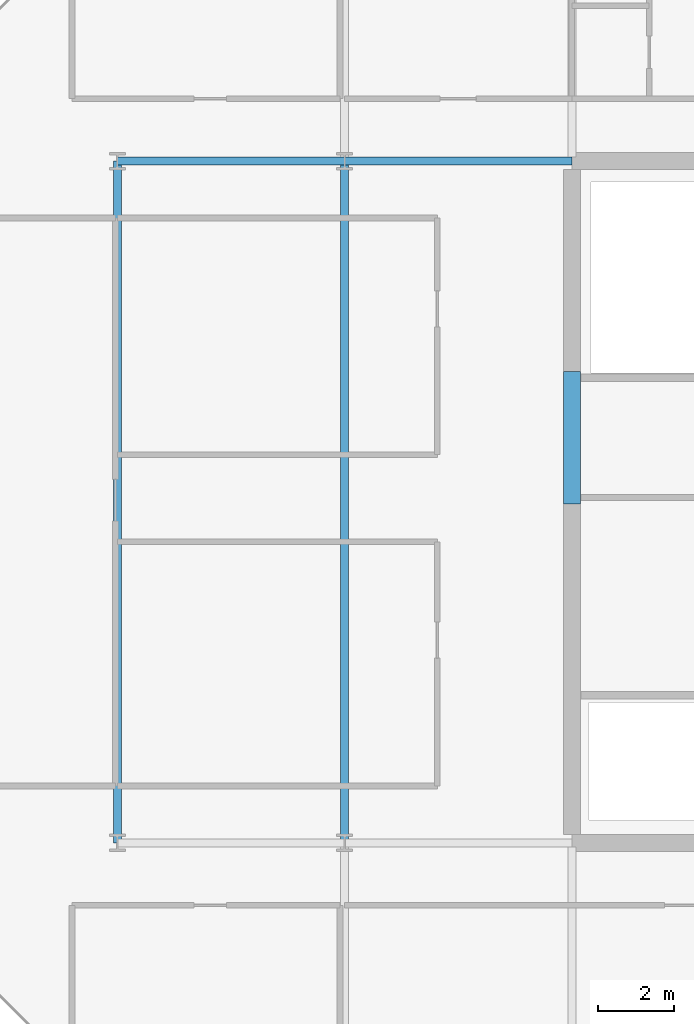
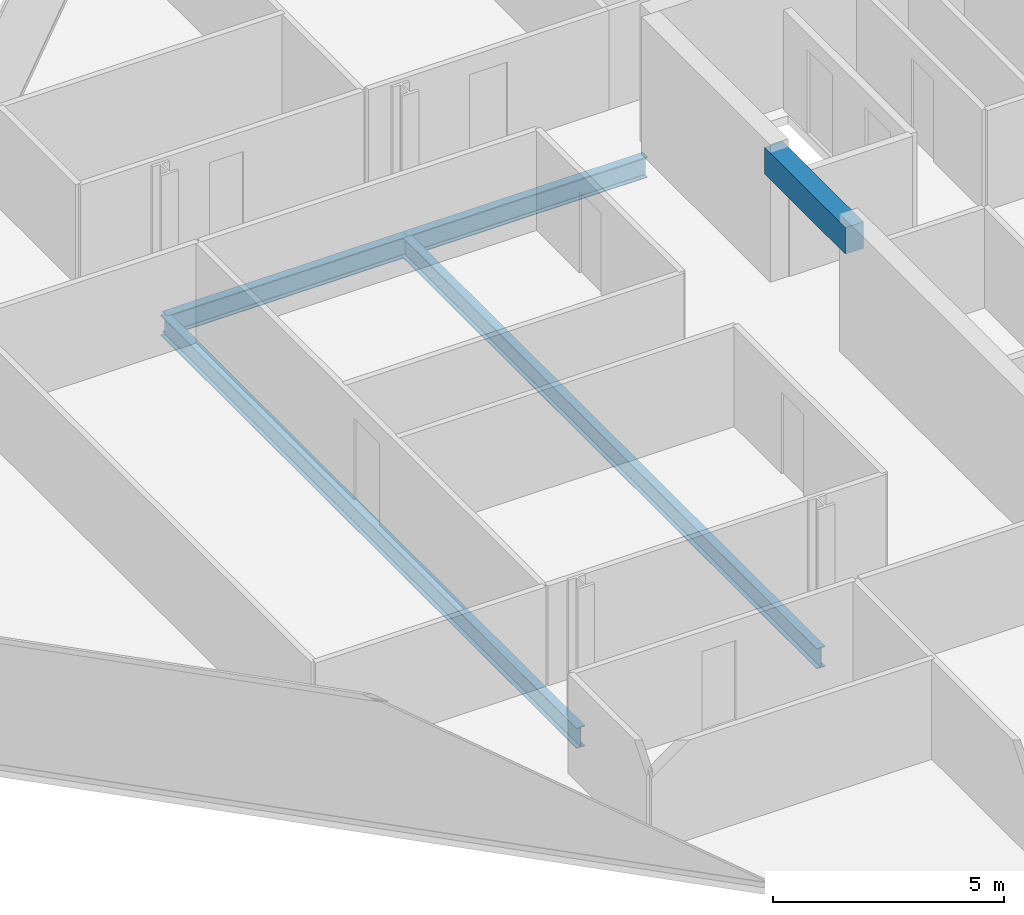
# One storey, part 5 of 17: 5 beams.
"""IFC4 building model written with IfcOpenShell, lengths in metres."""

from ifc_helpers import new_model, si_unit, direction, frame, origin, origin_2d, place, context, subcontext, project, spatial, rectangle, i_section, extrude, material, material_profile, profile_set, type_object, element, save


model = new_model("IFC4")

# Units and contexts
model_context = context("Model", 3, precision=1e-05, world=origin(), true_north=direction((0.0, 1.0)))
body_context = subcontext(model_context, "Body", "Model", "MODEL_VIEW")
ifc_project = project(units=[si_unit("LENGTHUNIT", "METRE"), si_unit("AREAUNIT", "SQUARE_METRE"), si_unit("VOLUMEUNIT", "CUBIC_METRE"), si_unit("PLANEANGLEUNIT", "RADIAN"), si_unit("MASSUNIT", "GRAM", prefix="KILO")], contexts=[model_context])

# Site, building, storey
site_placement = place(None, origin())
site = spatial("IfcSite", under=ifc_project, at=site_placement, CompositionType="ELEMENT")
building_placement = place(site_placement, origin())
building = spatial("IfcBuilding", under=site, at=building_placement, Name="Tanjung Sevakor Pilgrim Tower", CompositionType="ELEMENT")
storey_placement = place(building_placement, frame((0.0, 0.0, 264.330078125)))
storey = spatial("IfcBuildingStorey", under=building, at=storey_placement, Name="L74", CompositionType="ELEMENT", Elevation=264.330078125)

# Beams
ifc_material_1 = material(Name="Steel S355J2", Category="steel")
ifc_material_profile_1 = material_profile(ifc_material_1, i_section(OverallWidth=0.2119140625, OverallDepth=0.54443359375, WebThickness=0.0126953125, FlangeThickness=0.021240234375, FilletRadius=0.0126953125, at=origin_2d()))
ifc_profile_set_1 = profile_set([ifc_material_profile_1], Name="Steel S355J2")
beam_type_1 = type_object("IfcBeamType", Name="BM-B-G5-UB_533x210x122", PredefinedType="BEAM", material=ifc_profile_set_1)
for number, where, z_axis, x_axis, name in (
    (1, (66.0, 42.60009765625, -0.4921875), (1.0, 0.0, 0.0), (0.0, 1.0, 0.0), "L74 Primary Floor Girder EAST Y426-01"),
    (2, (72.0, 42.60009765625, -0.4921875), (1.0, 0.0, 0.0), (0.0, 1.0, 0.0), "L74 Primary Floor Girder EAST Y426-02"),
):
    element("IfcBeam", number, at=place(storey_placement, frame(where, z_axis=z_axis, x_axis=x_axis)), inside=storey, type_object=beam_type_1, Name=name, PredefinedType="BEAM", context=body_context, shape_type="SweptSolid", body=[
        extrude(i_section(OverallWidth=0.2119140625, OverallDepth=0.54443359375, WebThickness=0.0126953125, FlangeThickness=0.021240234375, FilletRadius=0.0126953125, at=origin_2d()), origin(), (0.0, 0.0, 1.0), 6.0),
    ])
ifc_material_2 = material(Name="Steel S355J2", Category="steel")
ifc_material_profile_2 = material_profile(ifc_material_2, i_section(OverallWidth=0.210693359375, OverallDepth=0.53955078125, WebThickness=0.01171875, FlangeThickness=0.018798828125, FilletRadius=0.0126953125, at=origin_2d()))
ifc_profile_set_2 = profile_set([ifc_material_profile_2], Name="Steel S355J2")
beam_type_2 = type_object("IfcBeamType", Name="BM-B-G6-UB_533x210x109", PredefinedType="BEAM", material=ifc_profile_set_2)
for number, where, z_axis, x_axis, name in (
    (3, (66.0, 24.60009765625, -0.48974609375), (0.0, 1.0, 0.0), (-1.0, 0.0, 0.0), "L74 EAST Girder 001"),
    (4, (72.0, 24.60009765625, -0.48974609375), (0.0, 1.0, 0.0), (-1.0, 0.0, 0.0), "L74 EAST Girder 003"),
):
    element("IfcBeam", number, at=place(storey_placement, frame(where, z_axis=z_axis, x_axis=x_axis)), inside=storey, type_object=beam_type_2, Name=name, PredefinedType="BEAM", context=body_context, shape_type="SweptSolid", body=[
        extrude(i_section(OverallWidth=0.210693359375, OverallDepth=0.53955078125, WebThickness=0.01171875, FlangeThickness=0.018798828125, FilletRadius=0.0126953125, at=origin_2d()), origin(), (0.0, 0.0, 1.0), 18.0),
    ])
ifc_material_3 = material(Name="Concrete C60/75", Category="concrete")
ifc_material_profile_3 = material_profile(ifc_material_3, rectangle(XDim=0.449951171875, YDim=0.699951171875, at=origin_2d()))
ifc_profile_set_3 = profile_set([ifc_material_profile_3], Name="Concrete C60/75")
beam_type_3 = type_object("IfcBeamType", Name="BM-B-LN3-RC-BM_450x700", PredefinedType="LINTEL", material=ifc_profile_set_3)
beam_placement = place(storey_placement, frame((78.0, 33.550048828125, 3.059814453125), z_axis=(0.0, 1.0, 0.0), x_axis=(-1.0, 0.0, 0.0)))
element("IfcBeam", 5, at=beam_placement, inside=storey, type_object=beam_type_3, Name="L74 E Core Coupling Lintel", PredefinedType="LINTEL", context=body_context, shape_type="SweptSolid", body=[
    extrude(rectangle(XDim=0.449951171875, YDim=0.699951171875, at=origin_2d()), origin(), (0.0, 0.0, 1.0), 3.5),
])

save(model, "model.ifc")
